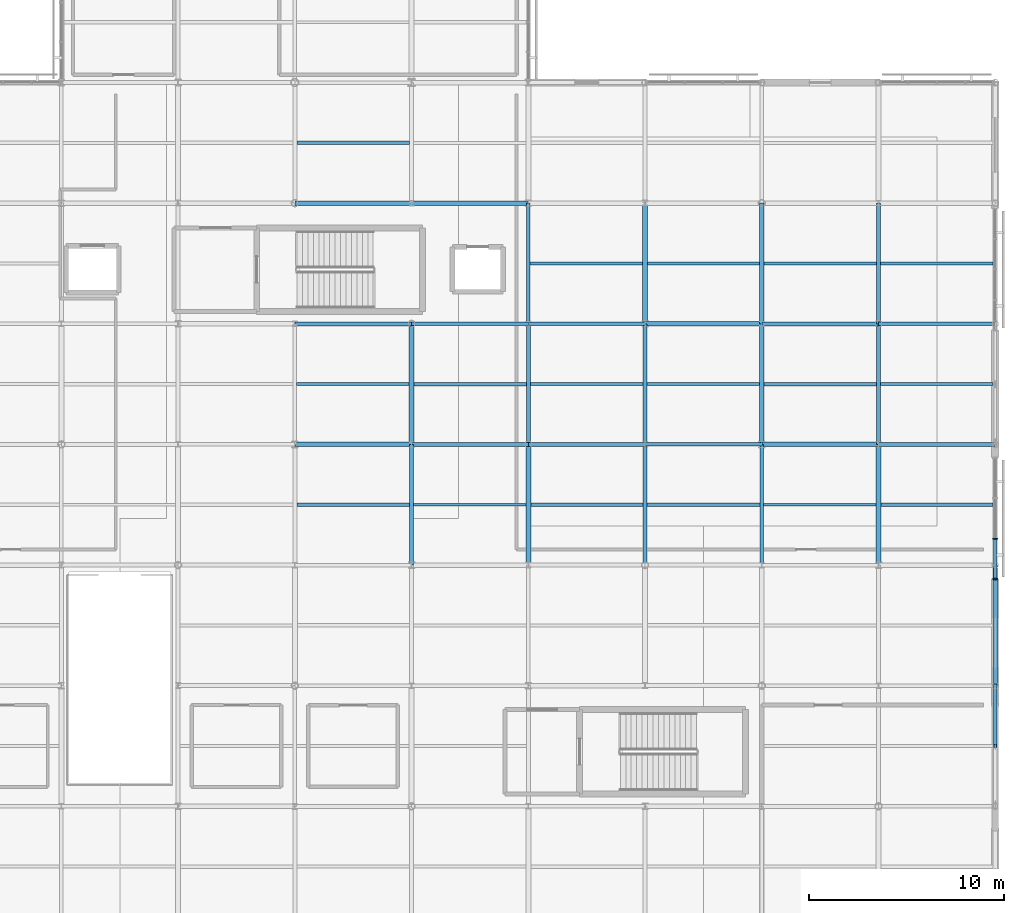
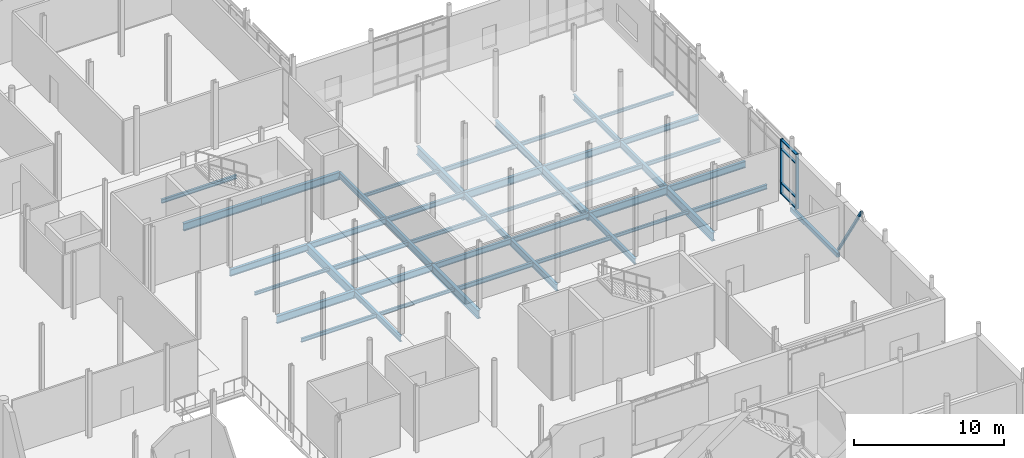
# One storey, part 49 of 105: 46 beams, 7 members, 1 element without a shape of its own.
"""IFC4 building model written with IfcOpenShell, lengths in metres."""

import ifcopenshell
import ifcopenshell.guid

model = None  # the IFC model being written
_history = None  # IfcOwnerHistory: only IFC2X3 demands one
_inside = {}  # id of a spatial element -> (the spatial element, [elements in it])
_under = {}  # id of a project, library or spatial element -> (it, [spatial elements below it])
_declared = {}  # id of a project -> (the project, [libraries it declares])
_typed = {}  # id of a type object -> (the type object, [elements of that type])
_made_of = {}  # id of a material, layer set ... -> (it, [elements and type objects made of it])


def new_model(schema):
    """Start an empty IFC model of exactly this schema.

    Asked for "IFC4X3", IfcOpenShell would pick the latest addendum, in which some entities
    have other attributes; the version numbers below select the first issue.
    IFC2X3 requires an IfcOwnerHistory on every rooted entity: one is made here for all.
    """
    global model, _history
    if schema == "IFC4X3":
        model = ifcopenshell.file(schema_version=(4, 3, 0, 0))
    else:
        model = ifcopenshell.file(schema=schema)
    _inside.clear()
    _under.clear()
    _declared.clear()
    _typed.clear()
    _made_of.clear()
    _history = None
    if model.schema == "IFC2X3":
        org = make("IfcOrganization", Name="unknown")
        user = make(
            "IfcPersonAndOrganization",
            ThePerson=make("IfcPerson", FamilyName="unknown"),
            TheOrganization=org,
        )
        app = make(
            "IfcApplication",
            ApplicationDeveloper=org,
            Version="unknown",
            ApplicationFullName="unknown",
            ApplicationIdentifier="unknown",
        )
        _history = make(
            "IfcOwnerHistory",
            OwningUser=user,
            OwningApplication=app,
            ChangeAction="ADDED",
            CreationDate=0,
        )
    return model


def make(cls, **values):
    """One entity of the class cls with the attributes given. An attribute that is None is left unset."""
    return model.create_entity(
        cls, **{name: value for name, value in values.items() if value is not None}
    )


def rooted(cls, **values):
    """An entity with a GlobalId (a new one), such as an element, a storey or a relation."""
    return make(cls, GlobalId=ifcopenshell.guid.new(), OwnerHistory=_history, **values)


def si_unit(unit_type, name, prefix=None):
    """IfcSIUnit, for example si_unit("LENGTHUNIT", "METRE", prefix="MILLI")."""
    return make("IfcSIUnit", UnitType=unit_type, Prefix=prefix, Name=name)


def assignment(units):
    """IfcUnitAssignment: the units of a project."""
    return None if units is None else make("IfcUnitAssignment", Units=units)


def point(xyz):
    """IfcCartesianPoint."""
    return None if xyz is None else make("IfcCartesianPoint", Coordinates=xyz)


def direction(xyz):
    """IfcDirection."""
    return None if xyz is None else make("IfcDirection", DirectionRatios=xyz)


def frame(location, z_axis=None, x_axis=None):
    """IfcAxis2Placement3D, a coordinate frame: its origin and axes. An axis left out is left unset."""
    return make(
        "IfcAxis2Placement3D",
        Location=point(location),
        Axis=direction(z_axis),
        RefDirection=direction(x_axis),
    )


def frame_2d(location, x_axis=None):
    """IfcAxis2Placement2D, a coordinate frame in the plane: its origin and x axis."""
    return make(
        "IfcAxis2Placement2D", Location=point(location), RefDirection=direction(x_axis)
    )


def origin():
    """The frame at (0, 0, 0) with its axes left unset."""
    return frame((0.0, 0.0, 0.0))


def origin_2d():
    """The frame at (0, 0) in the plane with its x axis left unset."""
    return frame_2d((0.0, 0.0))


def place(relative_to, where):
    """IfcLocalPlacement: puts the frame where relative to a parent placement (None: the world)."""
    return make(
        "IfcLocalPlacement", PlacementRelTo=relative_to, RelativePlacement=where
    )


def context(
    kind, dimensions, precision=None, world=None, true_north=None, identifier=None
):
    """IfcGeometricRepresentationContext, for example the 3D "Model" context."""
    return make(
        "IfcGeometricRepresentationContext",
        ContextIdentifier=identifier,
        ContextType=kind,
        CoordinateSpaceDimension=dimensions,
        Precision=precision,
        WorldCoordinateSystem=world,
        TrueNorth=true_north,
    )


def subcontext(parent, identifier, kind, view, scale=None):
    """IfcGeometricRepresentationSubContext, for example "Body" below "Model"."""
    return make(
        "IfcGeometricRepresentationSubContext",
        ContextIdentifier=identifier,
        ContextType=kind,
        ParentContext=parent,
        TargetScale=scale,
        TargetView=view,
    )


def project(units=None, contexts=None):
    """IfcProject with its units and contexts."""
    return rooted(
        "IfcProject",
        Name="project",
        RepresentationContexts=contexts,
        UnitsInContext=assignment(units),
    )


def spatial(cls, under=None, at=None, **own):
    """A site, building, storey or space (cls), placed at a placement, below another one or the project."""
    s = rooted(cls, ObjectPlacement=at, **own)
    if under is not None:
        _under.setdefault(under.id(), (under, []))[1].append(s)
    return s


def profile(cls, at=None, kind="AREA", **sizes):
    """A parametric profile (cls). Its sizes go by their IFC names, for example OverallWidth=200.0."""
    return make(cls, ProfileType=kind, Position=at, **sizes)


def rectangle(**sizes):
    """IfcRectangleProfileDef."""
    return profile("IfcRectangleProfileDef", **sizes)


def hollow_rectangle(**sizes):
    """IfcRectangleHollowProfileDef."""
    return profile("IfcRectangleHollowProfileDef", **sizes)


def i_section(**sizes):
    """IfcIShapeProfileDef."""
    return profile("IfcIShapeProfileDef", **sizes)


def extrude(swept, where, along, depth):
    """IfcExtrudedAreaSolid: the profile swept, set in the frame where, extruded along a direction by depth."""
    return make(
        "IfcExtrudedAreaSolid",
        SweptArea=swept,
        Position=where,
        ExtrudedDirection=direction(along),
        Depth=depth,
    )


def shape(context_of_items, identifier, shape_type, items):
    """IfcShapeRepresentation: the items that make up one representation, for example the "Body"."""
    return make(
        "IfcShapeRepresentation",
        ContextOfItems=context_of_items,
        RepresentationIdentifier=identifier,
        RepresentationType=shape_type,
        Items=items,
    )


def material(Name=None, Category=None):
    """IfcMaterial."""
    return make("IfcMaterial", Name=Name, Category=Category)


def layer(
    of_material, thickness, ventilated=None, Name=None, Category=None, Priority=None
):
    """IfcMaterialLayer: one layer of a wall or slab, of a material (None: an air gap)."""
    return make(
        "IfcMaterialLayer",
        Material=of_material,
        LayerThickness=thickness,
        IsVentilated=ventilated,
        Name=Name,
        Category=Category,
        Priority=Priority,
    )


def layer_set(layers, Name=None):
    """IfcMaterialLayerSet."""
    return make("IfcMaterialLayerSet", MaterialLayers=layers, LayerSetName=Name)


def material_profile(
    of_material, cross_section, Name=None, Category=None, Priority=None
):
    """IfcMaterialProfile: a cross section and its material."""
    return make(
        "IfcMaterialProfile",
        Name=Name,
        Material=of_material,
        Profile=cross_section,
        Priority=Priority,
        Category=Category,
    )


def profile_set(profiles, Name=None, composite=None):
    """IfcMaterialProfileSet."""
    return make(
        "IfcMaterialProfileSet",
        Name=Name,
        MaterialProfiles=profiles,
        CompositeProfile=composite,
    )


def made_of(thing, what):
    """Note that an element or type object is made of a material, layer set ...; save() writes the relation."""
    if what is not None:
        _made_of.setdefault(what.id(), (what, []))[1].append(thing)
    return thing


def type_object(cls, material=None, **own):
    """A type object (cls), such as IfcWallType, which elements share."""
    return made_of(rooted(cls, **own), material)


def element(
    cls,
    number,
    at=None,
    inside=None,
    cuts=None,
    type_object=None,
    material=None,
    context=None,
    identifier="Body",
    shape_type=None,
    held_by="IfcProductDefinitionShape",
    body=None,
    shapes=None,
    **own,
):
    """One element of the class cls, such as IfcWall. Its Tag is "e" and its number.

    at: its placement. inside: the storey or other place that contains it. cuts: it is an
    opening in that element (IfcRelVoidsElement). A single representation is given by context,
    identifier, shape_type and body (its items); several are given by shapes. held_by: the class
    of the entity that holds the representations. save() writes the other relations.
    """
    e = rooted(cls, Tag="e%d" % number, ObjectPlacement=at, **own)
    if body is not None:
        shapes = [shape(context, identifier, shape_type, body)]
    if shapes is not None:
        e.Representation = make(held_by, Representations=shapes)
    if inside is not None:
        _inside.setdefault(inside.id(), (inside, []))[1].append(e)
    if cuts is not None:
        rooted(
            "IfcRelVoidsElement", RelatingBuildingElement=cuts, RelatedOpeningElement=e
        )
    if type_object is not None:
        _typed.setdefault(type_object.id(), (type_object, []))[1].append(e)
    return made_of(e, material)


def aggregate(whole, parts):
    """IfcRelAggregates: a whole, such as a stair, and the parts it consists of."""
    return rooted("IfcRelAggregates", RelatingObject=whole, RelatedObjects=parts)


def save(model, path):
    """Write the relations noted so far, then the file.

    IfcRelAggregates (storeys below a building ...), IfcRelContainedInSpatialStructure (elements
    in a storey), IfcRelDefinesByType, IfcRelAssociatesMaterial and IfcRelDeclares: one each for
    every whole, place, type object, material and project.
    """
    for whole, parts in _under.values():
        aggregate(whole, parts)
    for where, things in _inside.values():
        rooted(
            "IfcRelContainedInSpatialStructure",
            RelatedElements=things,
            RelatingStructure=where,
        )
    for kind, things in _typed.values():
        rooted("IfcRelDefinesByType", RelatedObjects=things, RelatingType=kind)
    for what, things in _made_of.values():
        rooted("IfcRelAssociatesMaterial", RelatedObjects=things, RelatingMaterial=what)
    for by, libraries in _declared.values():
        rooted("IfcRelDeclares", RelatingContext=by, RelatedDefinitions=libraries)
    model.write(path)


model = new_model("IFC4")

# Units and contexts
model_context = context("Model", 3, precision=1e-05, world=origin(), true_north=direction((0.0, 1.0)))
body_context = subcontext(model_context, "Body", "Model", "MODEL_VIEW")
ifc_project = project(units=[si_unit("LENGTHUNIT", "METRE"), si_unit("AREAUNIT", "SQUARE_METRE"), si_unit("VOLUMEUNIT", "CUBIC_METRE"), si_unit("PLANEANGLEUNIT", "RADIAN"), si_unit("MASSUNIT", "GRAM", prefix="KILO")], contexts=[model_context])

# Site, building, storey
site_placement = place(None, origin())
site = spatial("IfcSite", under=ifc_project, at=site_placement, CompositionType="ELEMENT")
building_placement = place(site_placement, origin())
building = spatial("IfcBuilding", under=site, at=building_placement, Name="Mirzam Square Science Centre", CompositionType="ELEMENT")
storey_placement = place(building_placement, frame((0.0, 0.0, 5.39990234375)))
storey = spatial("IfcBuildingStorey", under=building, at=storey_placement, Name="L01", CompositionType="ELEMENT", Elevation=5.39990234375)

# Beams
ifc_material_1 = material(Name="Steel S355", Category="steel")
ifc_material_profile_1 = material_profile(ifc_material_1, i_section(OverallWidth=0.1787109375, OverallDepth=0.409423828125, WebThickness=0.0087890625, FlangeThickness=0.014404296875, FilletRadius=0.01025390625, at=origin_2d()), Name="406x178x67UB")
ifc_profile_set_1 = profile_set([ifc_material_profile_1], Name="Steel S355")
beam_type_1 = type_object("IfcBeamType", Name="BM-UB406", PredefinedType="BEAM", material=ifc_profile_set_1)
for number, where, z_axis, x_axis, name in (
    (1, (144.0, 68.199951171875, -0.45458984375), (1.0, 0.0, 0.0), (0.0, 1.0, 0.0), "L01 girder X25-12"),
    (2, (138.0, 74.39990234375, -0.45458984375), (1.0, 0.0, 0.0), (0.0, 1.0, 0.0), "L01 girder X24-13"),
):
    element("IfcBeam", number, at=place(storey_placement, frame(where, z_axis=z_axis, x_axis=x_axis)), inside=storey, type_object=beam_type_1, Name=name, PredefinedType="BEAM", context=body_context, shape_type="SweptSolid", body=[
        extrude(i_section(OverallWidth=0.1787109375, OverallDepth=0.409423828125, WebThickness=0.0087890625, FlangeThickness=0.014404296875, FilletRadius=0.01025390625, at=origin_2d()), origin(), (0.0, 0.0, 1.0), 6.0),
    ])
ifc_material_profile_2 = material_profile(ifc_material_1, i_section(OverallWidth=0.19140625, OverallDepth=0.4599609375, WebThickness=0.010009765625, FlangeThickness=0.01611328125, FilletRadius=0.01025390625, at=origin_2d()), Name="457x191x82UB")
ifc_profile_set_2 = profile_set([ifc_material_profile_2], Name="Steel S355")
beam_type_2 = type_object("IfcBeamType", Name="BM-UB457", PredefinedType="BEAM", material=ifc_profile_set_2)
for number, where, z_axis, x_axis, name in (
    (3, (138.0, 68.199951171875, -0.47998046875), (1.0, 0.0, 0.0), (0.0, 1.0, 0.0), "L01 girder X24-12"),
    (4, (132.0, 74.39990234375, -0.47998046875), (1.0, 0.0, 0.0), (0.0, 1.0, 0.0), "L01 girder X23-13"),
    (5, (156.0, 74.39990234375, -0.47998046875), (1.0, 0.0, 0.0), (0.0, 1.0, 0.0), "L01 girder X27-13"),
):
    element("IfcBeam", number, at=place(storey_placement, frame(where, z_axis=z_axis, x_axis=x_axis)), inside=storey, type_object=beam_type_2, Name=name, PredefinedType="BEAM", context=body_context, shape_type="SweptSolid", body=[
        extrude(i_section(OverallWidth=0.19140625, OverallDepth=0.4599609375, WebThickness=0.010009765625, FlangeThickness=0.01611328125, FilletRadius=0.01025390625, at=origin_2d()), origin(), (0.0, 0.0, 1.0), 6.0),
    ])
beam_1_placement = place(storey_placement, frame((132.0, 62.0, -0.47998046875), z_axis=(0.0, 1.0, 0.0), x_axis=(-1.0, 0.0, 0.0)))
element("IfcBeam", 6, at=beam_1_placement, inside=storey, type_object=beam_type_2, Name="L01 girder Y23-11", PredefinedType="BEAM", context=body_context, shape_type="SweptSolid", body=[
    extrude(i_section(OverallWidth=0.19140625, OverallDepth=0.4599609375, WebThickness=0.010009765625, FlangeThickness=0.01611328125, FilletRadius=0.01025390625, at=origin_2d()), origin(), (0.0, 0.0, 1.0), 6.199951171875),
])
beam_2_placement = place(storey_placement, frame((138.0, 74.39990234375, -0.47998046875), z_axis=(0.0, 1.0, 0.0), x_axis=(-1.0, 0.0, 0.0)))
element("IfcBeam", 7, at=beam_2_placement, inside=storey, type_object=beam_type_2, Name="L01 girder Y24-13", PredefinedType="BEAM", context=body_context, shape_type="SweptSolid", body=[
    extrude(i_section(OverallWidth=0.19140625, OverallDepth=0.4599609375, WebThickness=0.010009765625, FlangeThickness=0.01611328125, FilletRadius=0.01025390625, at=origin_2d()), origin(), (0.0, 0.0, 1.0), 6.2001953125),
])
for number, where, z_axis, x_axis, name in (
    (8, (144.0, 68.199951171875, -0.47998046875), (0.0, 1.0, 0.0), (-1.0, 0.0, 0.0), "L01 girder Y25-12"),
    (9, (150.0, 62.0, -0.47998046875), (0.0, 1.0, 0.0), (-1.0, 0.0, 0.0), "L01 girder Y26-11"),
):
    element("IfcBeam", number, at=place(storey_placement, frame(where, z_axis=z_axis, x_axis=x_axis)), inside=storey, type_object=beam_type_2, Name=name, PredefinedType="BEAM", context=body_context, shape_type="SweptSolid", body=[
        extrude(i_section(OverallWidth=0.19140625, OverallDepth=0.4599609375, WebThickness=0.010009765625, FlangeThickness=0.01611328125, FilletRadius=0.01025390625, at=origin_2d()), origin(), (0.0, 0.0, 1.0), 6.199951171875),
    ])
beam_3_placement = place(storey_placement, frame((156.0, 74.39990234375, -0.47998046875), z_axis=(0.0, 1.0, 0.0), x_axis=(-1.0, 0.0, 0.0)))
element("IfcBeam", 10, at=beam_3_placement, inside=storey, type_object=beam_type_2, Name="L01 girder Y27-13", PredefinedType="BEAM", context=body_context, shape_type="SweptSolid", body=[
    extrude(i_section(OverallWidth=0.19140625, OverallDepth=0.4599609375, WebThickness=0.010009765625, FlangeThickness=0.01611328125, FilletRadius=0.01025390625, at=origin_2d()), origin(), (0.0, 0.0, 1.0), 6.2001953125),
])
ifc_material_profile_3 = material_profile(ifc_material_1, i_section(OverallWidth=0.2099609375, OverallDepth=0.53662109375, WebThickness=0.0107421875, FlangeThickness=0.017333984375, FilletRadius=0.0126953125, at=origin_2d()), Name="533x210x101UB")
ifc_profile_set_3 = profile_set([ifc_material_profile_3], Name="Steel S355")
beam_type_3 = type_object("IfcBeamType", Name="BM-UB533", PredefinedType="BEAM", material=ifc_profile_set_3)
for number, where, z_axis, x_axis, name in (
    (11, (132.0, 68.199951171875, -0.518310546875), (1.0, 0.0, 0.0), (0.0, 1.0, 0.0), "L01 girder X23-12"),
    (12, (156.0, 68.199951171875, -0.518310546875), (1.0, 0.0, 0.0), (0.0, 1.0, 0.0), "L01 girder X27-12"),
    (13, (126.0, 74.39990234375, -0.518310546875), (1.0, 0.0, 0.0), (0.0, 1.0, 0.0), "L01 girder X22-13"),
    (14, (150.0, 74.39990234375, -0.518310546875), (1.0, 0.0, 0.0), (0.0, 1.0, 0.0), "L01 girder X26-13"),
):
    element("IfcBeam", number, at=place(storey_placement, frame(where, z_axis=z_axis, x_axis=x_axis)), inside=storey, type_object=beam_type_3, Name=name, PredefinedType="BEAM", context=body_context, shape_type="SweptSolid", body=[
        extrude(i_section(OverallWidth=0.2099609375, OverallDepth=0.53662109375, WebThickness=0.0107421875, FlangeThickness=0.017333984375, FilletRadius=0.0126953125, at=origin_2d()), origin(), (0.0, 0.0, 1.0), 6.0),
    ])
for number, where, z_axis, x_axis, name in (
    (15, (138.0, 68.199951171875, -0.518310546875), (0.0, 1.0, 0.0), (-1.0, 0.0, 0.0), "L01 girder Y24-12"),
    (16, (144.0, 62.0, -0.518310546875), (0.0, 1.0, 0.0), (-1.0, 0.0, 0.0), "L01 girder Y25-11"),
):
    element("IfcBeam", number, at=place(storey_placement, frame(where, z_axis=z_axis, x_axis=x_axis)), inside=storey, type_object=beam_type_3, Name=name, PredefinedType="BEAM", context=body_context, shape_type="SweptSolid", body=[
        extrude(i_section(OverallWidth=0.2099609375, OverallDepth=0.53662109375, WebThickness=0.0107421875, FlangeThickness=0.017333984375, FilletRadius=0.0126953125, at=origin_2d()), origin(), (0.0, 0.0, 1.0), 6.199951171875),
    ])
beam_4_placement = place(storey_placement, frame((150.0, 74.39990234375, -0.518310546875), z_axis=(0.0, 1.0, 0.0), x_axis=(-1.0, 0.0, 0.0)))
element("IfcBeam", 17, at=beam_4_placement, inside=storey, type_object=beam_type_3, Name="L01 girder Y26-13", PredefinedType="BEAM", context=body_context, shape_type="SweptSolid", body=[
    extrude(i_section(OverallWidth=0.2099609375, OverallDepth=0.53662109375, WebThickness=0.0107421875, FlangeThickness=0.017333984375, FilletRadius=0.0126953125, at=origin_2d()), origin(), (0.0, 0.0, 1.0), 6.2001953125),
])
beam_5_placement = place(storey_placement, frame((156.0, 68.199951171875, -0.518310546875), z_axis=(0.0, 1.0, 0.0), x_axis=(-1.0, 0.0, 0.0)))
element("IfcBeam", 18, at=beam_5_placement, inside=storey, type_object=beam_type_3, Name="L01 girder Y27-12", PredefinedType="BEAM", context=body_context, shape_type="SweptSolid", body=[
    extrude(i_section(OverallWidth=0.2099609375, OverallDepth=0.53662109375, WebThickness=0.0107421875, FlangeThickness=0.017333984375, FilletRadius=0.0126953125, at=origin_2d()), origin(), (0.0, 0.0, 1.0), 6.199951171875),
])
ifc_material_profile_4 = material_profile(ifc_material_1, i_section(OverallWidth=0.22900390625, OverallDepth=0.6123046875, WebThickness=0.011962890625, FlangeThickness=0.01953125, FilletRadius=0.0126953125, at=origin_2d()), Name="610x229x125UB")
ifc_profile_set_4 = profile_set([ifc_material_profile_4], Name="Steel S355")
beam_type_4 = type_object("IfcBeamType", Name="BM-UB610", PredefinedType="BEAM", material=ifc_profile_set_4)
for number, where, z_axis, x_axis, name in (
    (19, (126.0, 68.199951171875, -0.555908203125), (1.0, 0.0, 0.0), (0.0, 1.0, 0.0), "L01 girder X22-12"),
    (20, (150.0, 68.199951171875, -0.555908203125), (1.0, 0.0, 0.0), (0.0, 1.0, 0.0), "L01 girder X26-12"),
    (21, (144.0, 74.39990234375, -0.555908203125), (1.0, 0.0, 0.0), (0.0, 1.0, 0.0), "L01 girder X25-13"),
    (22, (126.0, 80.60009765625, -0.555908203125), (1.0, 0.0, 0.0), (0.0, 1.0, 0.0), "L01 girder X22-14"),
    (23, (132.0, 80.60009765625, -0.555908203125), (1.0, 0.0, 0.0), (0.0, 1.0, 0.0), "L01 girder X23-14"),
):
    element("IfcBeam", number, at=place(storey_placement, frame(where, z_axis=z_axis, x_axis=x_axis)), inside=storey, type_object=beam_type_4, Name=name, PredefinedType="BEAM", context=body_context, shape_type="SweptSolid", body=[
        extrude(i_section(OverallWidth=0.22900390625, OverallDepth=0.6123046875, WebThickness=0.011962890625, FlangeThickness=0.01953125, FilletRadius=0.0126953125, at=origin_2d()), origin(), (0.0, 0.0, 1.0), 6.0),
    ])
ifc_material_profile_5 = material_profile(ifc_material_1, i_section(OverallWidth=0.25439453125, OverallDepth=0.6875, WebThickness=0.01318359375, FlangeThickness=0.02099609375, FilletRadius=0.01513671875, at=origin_2d()), Name="686x254x152UB")
ifc_profile_set_5 = profile_set([ifc_material_profile_5], Name="Steel S355")
beam_type_5 = type_object("IfcBeamType", Name="BM-UB686", PredefinedType="BEAM", material=ifc_profile_set_5)
for number, where, z_axis, x_axis, name in (
    (24, (132.0, 68.199951171875, -0.593505859375), (0.0, 1.0, 0.0), (-1.0, 0.0, 0.0), "L01 girder Y23-12"),
    (25, (138.0, 62.0, -0.593505859375), (0.0, 1.0, 0.0), (-1.0, 0.0, 0.0), "L01 girder Y24-11"),
):
    element("IfcBeam", number, at=place(storey_placement, frame(where, z_axis=z_axis, x_axis=x_axis)), inside=storey, type_object=beam_type_5, Name=name, PredefinedType="BEAM", context=body_context, shape_type="SweptSolid", body=[
        extrude(i_section(OverallWidth=0.25439453125, OverallDepth=0.6875, WebThickness=0.01318359375, FlangeThickness=0.02099609375, FilletRadius=0.01513671875, at=origin_2d()), origin(), (0.0, 0.0, 1.0), 6.199951171875),
    ])
beam_6_placement = place(storey_placement, frame((144.0, 74.39990234375, -0.593505859375), z_axis=(0.0, 1.0, 0.0), x_axis=(-1.0, 0.0, 0.0)))
element("IfcBeam", 26, at=beam_6_placement, inside=storey, type_object=beam_type_5, Name="L01 girder Y25-13", PredefinedType="BEAM", context=body_context, shape_type="SweptSolid", body=[
    extrude(i_section(OverallWidth=0.25439453125, OverallDepth=0.6875, WebThickness=0.01318359375, FlangeThickness=0.02099609375, FilletRadius=0.01513671875, at=origin_2d()), origin(), (0.0, 0.0, 1.0), 6.2001953125),
])
for number, where, z_axis, x_axis, name in (
    (27, (150.0, 68.199951171875, -0.593505859375), (0.0, 1.0, 0.0), (-1.0, 0.0, 0.0), "L01 girder Y26-12"),
    (28, (156.0, 62.0, -0.593505859375), (0.0, 1.0, 0.0), (-1.0, 0.0, 0.0), "L01 girder Y27-11"),
):
    element("IfcBeam", number, at=place(storey_placement, frame(where, z_axis=z_axis, x_axis=x_axis)), inside=storey, type_object=beam_type_5, Name=name, PredefinedType="BEAM", context=body_context, shape_type="SweptSolid", body=[
        extrude(i_section(OverallWidth=0.25439453125, OverallDepth=0.6875, WebThickness=0.01318359375, FlangeThickness=0.02099609375, FilletRadius=0.01513671875, at=origin_2d()), origin(), (0.0, 0.0, 1.0), 6.199951171875),
    ])

# Member
ifc_material_profile_6 = material_profile(ifc_material_1, hollow_rectangle(XDim=0.179931640625, YDim=0.179931640625, WallThickness=0.010009765625, InnerFilletRadius=0.010009765625, OuterFilletRadius=0.02001953125, at=origin_2d()), Name="180x180x10.0SHS")
ifc_profile_set_6 = profile_set([ifc_material_profile_6], Name="Steel S355")
member_type_1 = type_object("IfcMemberType", Name="BR-SHS180", PredefinedType="BRACE", material=ifc_profile_set_6)
member_1_placement = place(storey_placement, frame((162.0, 55.800048828125, 0.050048828125), z_axis=(0.0, -0.532707561114, 0.84629938812), x_axis=(1.0, 0.0, 0.0)))
element("IfcMember", 29, at=member_1_placement, inside=storey, type_object=member_type_1, Name="L01 chevron brace 4B", PredefinedType="BRACE", context=body_context, shape_type="SweptSolid", body=[
    extrude(hollow_rectangle(XDim=0.179931640625, YDim=0.179931640625, WallThickness=0.010009765625, InnerFilletRadius=0.010009765625, OuterFilletRadius=0.02001953125, at=origin_2d()), origin(), (0.0, 0.0, 1.0), 5.819580078125),
])

# Curtain wall, members
ifc_material_2 = material(Name="Anodised Aluminium and Low-E Solar Glass", Category="aluminium")
ifc_layer = layer(ifc_material_2, 0.239990234375)
ifc_layer_set = layer_set([ifc_layer], Name="CW-EAST-B")
curtain_wall_type = type_object("IfcCurtainWallType", Name="CW-EAST-B", PredefinedType="USERDEFINED", material=ifc_layer_set)
curtain_wall_placement = place(storey_placement, origin())
curtain_wall = element("IfcCurtainWall", 30, at=curtain_wall_placement, inside=storey, type_object=curtain_wall_type, Name="L01 unitised curtain wall 85", ObjectType="UNITISED CURTAIN WALL", PredefinedType="USERDEFINED")
ifc_material_3 = material(Name="Anodised Architectural Aluminium 6063-T6", Category="aluminium")
ifc_material_profile_7 = material_profile(ifc_material_3, rectangle(XDim=0.074951171875, YDim=0.239990234375, at=origin_2d()), Name="ALU-MULL-240x75x5")
ifc_profile_set_7 = profile_set([ifc_material_profile_7], Name="Anodised Architectural Aluminium 6063-T6")
member_type_2 = type_object("IfcMemberType", Name="CWM-240", PredefinedType="MULLION", material=ifc_profile_set_7)
member_2_placement = place(storey_placement, frame((162.0, 61.29248046875, 0.0), z_axis=(0.0, 0.0, 1.0), x_axis=(0.0, 1.0, 0.0)))
member_2 = element("IfcMember", 31, at=member_2_placement, type_object=member_type_2, Name="CW-06 mullion 1", PredefinedType="MULLION", context=body_context, shape_type="SweptSolid", body=[
    extrude(rectangle(XDim=0.074951171875, YDim=0.239990234375, at=origin_2d()), origin(), (0.0, 0.0, 1.0), 4.440185546875),
])
member_3_placement = place(storey_placement, frame((162.0, 63.3515625, 0.0), z_axis=(0.0, 0.0, 1.0), x_axis=(0.0, 1.0, 0.0)))
member_3 = element("IfcMember", 32, at=member_3_placement, type_object=member_type_2, Name="CW-06 mullion 2", PredefinedType="MULLION", context=body_context, shape_type="SweptSolid", body=[
    extrude(rectangle(XDim=0.074951171875, YDim=0.239990234375, at=origin_2d()), origin(), (0.0, 0.0, 1.0), 4.440185546875),
])
ifc_material_profile_8 = material_profile(ifc_material_3, rectangle(XDim=0.179931640625, YDim=0.074951171875, at=origin_2d()), Name="ALU-TRAN-180x75x5")
ifc_profile_set_8 = profile_set([ifc_material_profile_8], Name="Anodised Architectural Aluminium 6063-T6")
member_type_3 = type_object("IfcMemberType", Name="CWT-180", PredefinedType="USERDEFINED", material=ifc_profile_set_8)
member_4_placement = place(storey_placement, frame((162.0, 61.330078125, 0.03759765625), z_axis=(0.0, 1.0, 0.0), x_axis=(-1.0, 0.0, 0.0)))
member_4 = element("IfcMember", 33, at=member_4_placement, type_object=member_type_3, Name="CW-06 transom 1.1", ObjectType="TRANSOM", PredefinedType="USERDEFINED", context=body_context, shape_type="SweptSolid", body=[
    extrude(rectangle(XDim=0.179931640625, YDim=0.074951171875, at=origin_2d()), origin(), (0.0, 0.0, 1.0), 1.984130859375),
])
member_5_placement = place(storey_placement, frame((162.0, 61.330078125, 0.900146484375), z_axis=(0.0, 1.0, 0.0), x_axis=(-1.0, 0.0, 0.0)))
member_5 = element("IfcMember", 34, at=member_5_placement, type_object=member_type_3, Name="CW-06 transom 1.2", ObjectType="TRANSOM", PredefinedType="USERDEFINED", context=body_context, shape_type="SweptSolid", body=[
    extrude(rectangle(XDim=0.179931640625, YDim=0.074951171875, at=origin_2d()), origin(), (0.0, 0.0, 1.0), 1.984130859375),
])
member_6_placement = place(storey_placement, frame((162.0, 61.330078125, 3.64013671875), z_axis=(0.0, 1.0, 0.0), x_axis=(-1.0, 0.0, 0.0)))
member_6 = element("IfcMember", 35, at=member_6_placement, type_object=member_type_3, Name="CW-06 transom 1.3", ObjectType="TRANSOM", PredefinedType="USERDEFINED", context=body_context, shape_type="SweptSolid", body=[
    extrude(rectangle(XDim=0.179931640625, YDim=0.074951171875, at=origin_2d()), origin(), (0.0, 0.0, 1.0), 1.984130859375),
])
member_7_placement = place(storey_placement, frame((162.0, 61.330078125, 4.402587890625), z_axis=(0.0, 1.0, 0.0), x_axis=(-1.0, 0.0, 0.0)))
member_7 = element("IfcMember", 36, at=member_7_placement, type_object=member_type_3, Name="CW-06 transom 1.4", ObjectType="TRANSOM", PredefinedType="USERDEFINED", context=body_context, shape_type="SweptSolid", body=[
    extrude(rectangle(XDim=0.179931640625, YDim=0.074951171875, at=origin_2d()), origin(), (0.0, 0.0, 1.0), 1.984130859375),
])
aggregate(curtain_wall, [member_2, member_3, member_4, member_5, member_6, member_7])

# Beams
ifc_material_profile_9 = material_profile(ifc_material_1, i_section(OverallWidth=0.146484375, OverallDepth=0.256103515625, WebThickness=0.00634765625, FlangeThickness=0.010986328125, FilletRadius=0.007568359375, at=origin_2d()), Name="254x146x37UB")
ifc_profile_set_9 = profile_set([ifc_material_profile_9], Name="Steel S355")
beam_type_6 = type_object("IfcBeamType", Name="JS-UB254", PredefinedType="JOIST", material=ifc_profile_set_9)
for number, where, z_axis, x_axis, name in (
    (37, (126.095703125, 71.300048828125, -0.3779296875), (1.0, 0.0, 0.0), (0.0, 1.0, 0.0), "L01 composite joist 22-12"),
    (38, (132.095703125, 65.10009765625, -0.3779296875), (1.0, 0.0, 0.0), (0.0, 1.0, 0.0), "L01 composite joist 23-11"),
    (39, (138.095703125, 77.5, -0.3779296875), (1.0, 0.0, 0.0), (0.0, 1.0, 0.0), "L01 composite joist 24-13"),
    (40, (144.095703125, 71.300048828125, -0.3779296875), (1.0, 0.0, 0.0), (0.0, 1.0, 0.0), "L01 composite joist 25-12"),
    (41, (150.095703125, 65.10009765625, -0.3779296875), (1.0, 0.0, 0.0), (0.0, 1.0, 0.0), "L01 composite joist 26-11"),
):
    element("IfcBeam", number, at=place(storey_placement, frame(where, z_axis=z_axis, x_axis=x_axis)), inside=storey, type_object=beam_type_6, Name=name, PredefinedType="JOIST", context=body_context, shape_type="SweptSolid", body=[
        extrude(i_section(OverallWidth=0.146484375, OverallDepth=0.256103515625, WebThickness=0.00634765625, FlangeThickness=0.010986328125, FilletRadius=0.007568359375, at=origin_2d()), origin(), (0.0, 0.0, 1.0), 5.777099609375),
    ])
beam_7_placement = place(storey_placement, frame((156.095703125, 77.5, -0.3779296875), z_axis=(1.0, 0.0, 0.0), x_axis=(0.0, 1.0, 0.0)))
element("IfcBeam", 42, at=beam_7_placement, inside=storey, type_object=beam_type_6, Name="L01 composite joist 27-13", PredefinedType="JOIST", context=body_context, shape_type="SweptSolid", body=[
    extrude(i_section(OverallWidth=0.146484375, OverallDepth=0.256103515625, WebThickness=0.00634765625, FlangeThickness=0.010986328125, FilletRadius=0.007568359375, at=origin_2d()), origin(), (0.0, 0.0, 1.0), 5.779296875),
])
ifc_material_profile_10 = material_profile(ifc_material_1, i_section(OverallWidth=0.165771484375, OverallDepth=0.306640625, WebThickness=0.006591796875, FlangeThickness=0.01171875, FilletRadius=0.0087890625, at=origin_2d()), Name="305x165x46UB")
ifc_profile_set_10 = profile_set([ifc_material_profile_10], Name="Steel S355")
beam_type_7 = type_object("IfcBeamType", Name="JS-UB305", PredefinedType="JOIST", material=ifc_profile_set_10)
for number, where, z_axis, x_axis, name in (
    (43, (126.10498046875, 65.10009765625, -0.4033203125), (1.0, 0.0, 0.0), (0.0, 1.0, 0.0), "L01 composite joist 22-11"),
    (44, (126.10498046875, 83.699951171875, -0.4033203125), (1.0, 0.0, 0.0), (0.0, 1.0, 0.0), "L01 composite joist 22-14"),
    (45, (138.10498046875, 71.300048828125, -0.4033203125), (1.0, 0.0, 0.0), (0.0, 1.0, 0.0), "L01 composite joist 24-12"),
    (46, (144.10498046875, 65.10009765625, -0.4033203125), (1.0, 0.0, 0.0), (0.0, 1.0, 0.0), "L01 composite joist 25-11"),
    (47, (150.10498046875, 77.5, -0.4033203125), (1.0, 0.0, 0.0), (0.0, 1.0, 0.0), "L01 composite joist 26-13"),
):
    element("IfcBeam", number, at=place(storey_placement, frame(where, z_axis=z_axis, x_axis=x_axis)), inside=storey, type_object=beam_type_7, Name=name, PredefinedType="JOIST", context=body_context, shape_type="SweptSolid", body=[
        extrude(i_section(OverallWidth=0.165771484375, OverallDepth=0.306640625, WebThickness=0.006591796875, FlangeThickness=0.01171875, FilletRadius=0.0087890625, at=origin_2d()), origin(), (0.0, 0.0, 1.0), 5.79931640625),
    ])
beam_8_placement = place(storey_placement, frame((156.10498046875, 71.300048828125, -0.4033203125), z_axis=(1.0, 0.0, 0.0), x_axis=(0.0, 1.0, 0.0)))
element("IfcBeam", 48, at=beam_8_placement, inside=storey, type_object=beam_type_7, Name="L01 composite joist 27-12", PredefinedType="JOIST", context=body_context, shape_type="SweptSolid", body=[
    extrude(i_section(OverallWidth=0.165771484375, OverallDepth=0.306640625, WebThickness=0.006591796875, FlangeThickness=0.01171875, FilletRadius=0.0087890625, at=origin_2d()), origin(), (0.0, 0.0, 1.0), 5.77001953125),
])
ifc_material_profile_11 = material_profile(ifc_material_1, i_section(OverallWidth=0.172119140625, OverallDepth=0.35791015625, WebThickness=0.008056640625, FlangeThickness=0.012939453125, FilletRadius=0.01025390625, at=origin_2d()), Name="356x171x57UB")
ifc_profile_set_11 = profile_set([ifc_material_profile_11], Name="Steel S355")
beam_type_8 = type_object("IfcBeamType", Name="JS-UB356", PredefinedType="JOIST", material=ifc_profile_set_11)
for number, where, z_axis, x_axis, name in (
    (49, (132.127197265625, 71.300048828125, -0.428955078125), (1.0, 0.0, 0.0), (0.0, 1.0, 0.0), "L01 composite joist 23-12"),
    (50, (138.127197265625, 65.10009765625, -0.428955078125), (1.0, 0.0, 0.0), (0.0, 1.0, 0.0), "L01 composite joist 24-11"),
    (51, (144.127197265625, 77.5, -0.428955078125), (1.0, 0.0, 0.0), (0.0, 1.0, 0.0), "L01 composite joist 25-13"),
    (52, (150.127197265625, 71.300048828125, -0.428955078125), (1.0, 0.0, 0.0), (0.0, 1.0, 0.0), "L01 composite joist 26-12"),
):
    element("IfcBeam", number, at=place(storey_placement, frame(where, z_axis=z_axis, x_axis=x_axis)), inside=storey, type_object=beam_type_8, Name=name, PredefinedType="JOIST", context=body_context, shape_type="SweptSolid", body=[
        extrude(i_section(OverallWidth=0.172119140625, OverallDepth=0.35791015625, WebThickness=0.008056640625, FlangeThickness=0.012939453125, FilletRadius=0.01025390625, at=origin_2d()), origin(), (0.0, 0.0, 1.0), 5.767822265625),
    ])
beam_9_placement = place(storey_placement, frame((156.127197265625, 65.10009765625, -0.428955078125), z_axis=(1.0, 0.0, 0.0), x_axis=(0.0, 1.0, 0.0)))
element("IfcBeam", 53, at=beam_9_placement, inside=storey, type_object=beam_type_8, Name="L01 composite joist 27-11", PredefinedType="JOIST", context=body_context, shape_type="SweptSolid", body=[
    extrude(i_section(OverallWidth=0.172119140625, OverallDepth=0.35791015625, WebThickness=0.008056640625, FlangeThickness=0.012939453125, FilletRadius=0.01025390625, at=origin_2d()), origin(), (0.0, 0.0, 1.0), 5.747802734375),
])
ifc_material_profile_12 = material_profile(ifc_material_1, hollow_rectangle(XDim=0.25, YDim=0.35009765625, WallThickness=0.012451171875, InnerFilletRadius=0.012451171875, OuterFilletRadius=0.02490234375, at=origin_2d()), Name="350x250x12.5RHS")
ifc_profile_set_12 = profile_set([ifc_material_profile_12], Name="Steel S355")
beam_type_9 = type_object("IfcBeamType", Name="SP-RHS350", PredefinedType="SPANDREL", material=ifc_profile_set_12)
beam_10_placement = place(storey_placement, frame((162.0, 55.800048828125, -0.4248046875), z_axis=(0.0, 1.0, 0.0), x_axis=(-1.0, 0.0, 0.0)))
element("IfcBeam", 54, at=beam_10_placement, inside=storey, type_object=beam_type_9, Name="L01 girder Y28-10", PredefinedType="SPANDREL", context=body_context, shape_type="SweptSolid", body=[
    extrude(hollow_rectangle(XDim=0.25, YDim=0.35009765625, WallThickness=0.012451171875, InnerFilletRadius=0.012451171875, OuterFilletRadius=0.02490234375, at=origin_2d()), origin(), (0.0, 0.0, 1.0), 6.199951171875),
])

save(model, "model.ifc")
